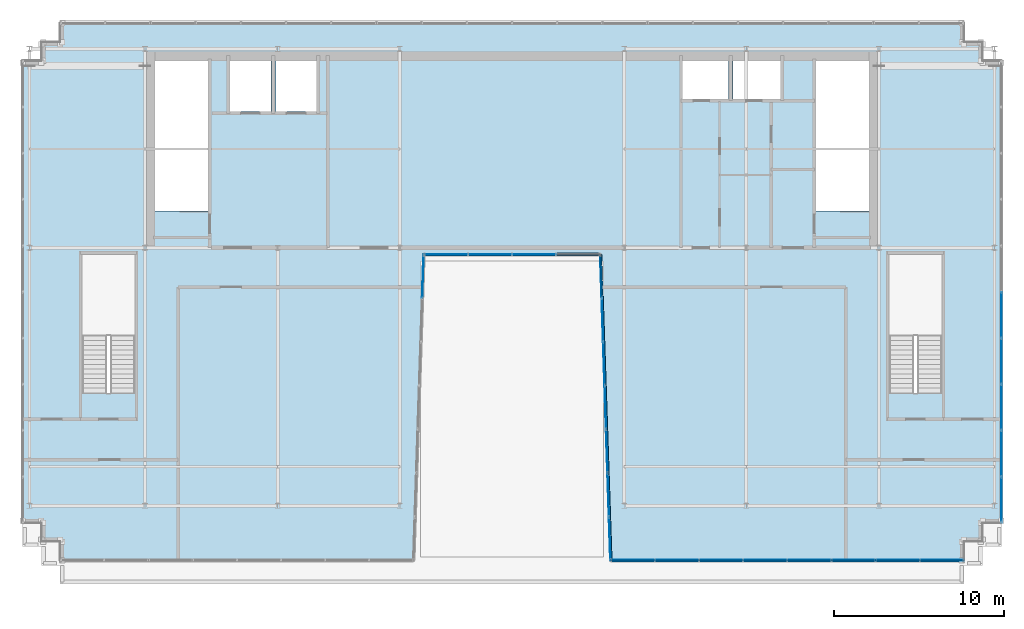
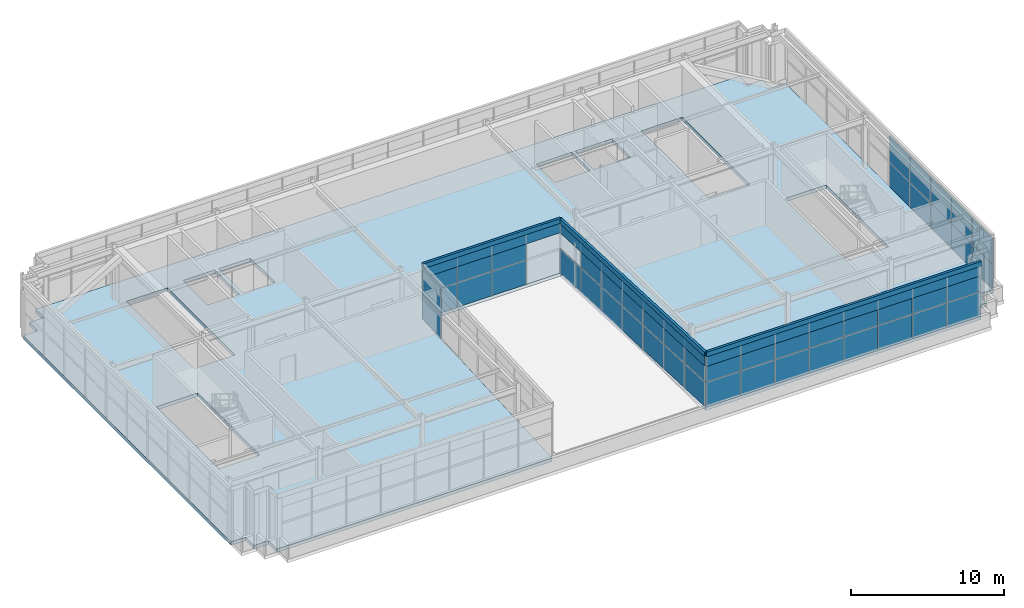
# One storey, part 28 of 37: 53 plates, 1 slab, 5 elements without a shape of their own.
"""IFC4 building model written with IfcOpenShell, lengths in metres."""

from ifc_helpers import new_model, si_unit, direction, frame, origin, origin_2d, place, context, subcontext, project, spatial, polyline, rectangle, outline, extrude, source, transform, mapped, material, layer, layer_set, type_object, element, aggregate, save


model = new_model("IFC4")

# Units and contexts
model_context = context("Model", 3, precision=1e-05, world=origin(), true_north=direction((0.0, 1.0)))
body_context = subcontext(model_context, "Body", "Model", "MODEL_VIEW")
ifc_project = project(units=[si_unit("LENGTHUNIT", "METRE"), si_unit("AREAUNIT", "SQUARE_METRE"), si_unit("VOLUMEUNIT", "CUBIC_METRE"), si_unit("PLANEANGLEUNIT", "RADIAN"), si_unit("MASSUNIT", "GRAM", prefix="KILO")], contexts=[model_context])

# Site, building, storey
site_placement = place(None, origin())
site = spatial("IfcSite", under=ifc_project, at=site_placement, CompositionType="ELEMENT")
building_placement = place(site_placement, origin())
building = spatial("IfcBuilding", under=site, at=building_placement, Name="Trelvane Seafront Commons", CompositionType="ELEMENT")
storey_placement = place(building_placement, frame((0.0, 0.0, 303.5)))
storey = spatial("IfcBuildingStorey", under=building, at=storey_placement, Name="L79", CompositionType="ELEMENT", Elevation=303.5)

# Slab
ifc_material_1 = material(Name="Concrete C50/60", Category="concrete")
ifc_layer_1 = layer(ifc_material_1, 0.280029296875, Name="STR-SLB-CRN280")
ifc_layer_set_1 = layer_set([ifc_layer_1], Name="Concrete C50/60")
slab_type = type_object("IfcSlabType", Name="STR-SLB-CRN280", PredefinedType="FLOOR", material=ifc_layer_set_1)
slab_placement = place(storey_placement, frame((0.0, 0.0, -0.280029296875)))
element("IfcSlab", 1, at=slab_placement, inside=storey, type_object=slab_type, Name="L79 Structural Floor Slab", PredefinedType="FLOOR", context=body_context, shape_type="SweptSolid", body=[
    extrude(outline(polyline([(10.60009765625, 15.0), (31.39990234375, 15.0), (32.0, 33.0), (42.39990234375, 33.0), (43.0, 15.0), (63.800048828125, 15.0), (63.800048828125, 16.10009765625), (64.89990234375, 16.10009765625), (64.89990234375, 17.199951171875), (66.0, 17.199951171875), (66.0, 44.39990234375), (64.89990234375, 44.39990234375), (64.89990234375, 45.5), (63.800048828125, 45.5), (63.800048828125, 46.60009765625), (10.60009765625, 46.60009765625), (10.60009765625, 45.5), (9.5, 45.5), (9.5, 44.39990234375), (8.39990234375, 44.39990234375), (8.39990234375, 17.199951171875), (9.5, 17.199951171875), (9.5, 16.10009765625), (10.60009765625, 16.10009765625), (10.60009765625, 15.0)]), holes=[polyline([(15.0, 24.85009765625), (11.89990234375, 24.85009765625), (11.89990234375, 33.0), (15.0, 33.0), (15.0, 24.85009765625)]), polyline([(62.5, 24.85009765625), (59.39990234375, 24.85009765625), (59.39990234375, 33.0), (62.5, 33.0), (62.5, 24.85009765625)]), polyline([(19.300048828125, 35.550048828125), (16.199951171875, 35.550048828125), (16.199951171875, 44.39990234375), (19.300048828125, 44.39990234375), (19.300048828125, 35.550048828125)]), polyline([(58.199951171875, 35.550048828125), (55.10009765625, 35.550048828125), (55.10009765625, 44.39990234375), (58.199951171875, 44.39990234375), (58.199951171875, 35.550048828125)]), polyline([(23.0, 41.39990234375), (20.60009765625, 41.39990234375), (20.60009765625, 44.60009765625), (23.0, 44.60009765625), (23.0, 41.39990234375)]), polyline([(25.699951171875, 41.39990234375), (23.300048828125, 41.39990234375), (23.300048828125, 44.60009765625), (25.699951171875, 44.60009765625), (25.699951171875, 41.39990234375)]), polyline([(49.949951171875, 42.14990234375), (47.25, 42.14990234375), (47.25, 44.550048828125), (49.949951171875, 44.550048828125), (49.949951171875, 42.14990234375)]), polyline([(53.0, 42.14990234375), (50.199951171875, 42.14990234375), (50.199951171875, 44.550048828125), (53.0, 44.550048828125), (53.0, 42.14990234375)])]), origin(), (0.0, 0.0, 1.0), 0.280029296875),
])

# Curtain wall, plates
ifc_material_2 = material(Name="Anodised pale-silver aluminium", Category="aluminium")
curtain_wall_type = type_object("IfcCurtainWallType", Name="ARCH-CW6-CROWN", PredefinedType="NOTDEFINED", material=ifc_material_2)
curtain_wall_1_placement = place(storey_placement, origin())
curtain_wall_1 = element("IfcCurtainWall", 2, at=curtain_wall_1_placement, inside=storey, type_object=curtain_wall_type, Name="CW-L79-0130", PredefinedType="NOTDEFINED")
ifc_material_3 = material(Name="Low-E coastal double glazing", Category="glass")
ifc_layer_2 = layer(ifc_material_3, 0.033935546875, Name="ARCH-CW-GLAZ-34")
ifc_layer_set_2 = layer_set([ifc_layer_2], Name="Low-E coastal double glazing")
plate_type_1 = type_object("IfcPlateType", Name="ARCH-CW-GLAZ-34", PredefinedType="CURTAIN_PANEL", material=ifc_layer_set_2)
shared_shape_1 = source(origin(), body_context, "Body", "SweptSolid", [
    extrude(rectangle(XDim=2.696044921875, YDim=0.031982421875, at=origin_2d()), origin(), (0.0, 0.0, 1.0), 1.949951171875),
])
plate_1_placement = place(storey_placement, frame((66.0, 29.43994140625, 0.0), z_axis=(0.0, 0.0, 1.0), x_axis=(0.0, -1.0, 0.0)))
plate_1 = element("IfcPlate", 3, at=plate_1_placement, type_object=plate_type_1, Name="CW-L79-0130-P05-1", PredefinedType="CURTAIN_PANEL", context=body_context, shape_type="MappedRepresentation", body=[
    mapped(shared_shape_1, transform((0.0, 0.0, 0.0), x_axis=(1.0, 0.0, 0.0), y_axis=(0.0, 1.0, 0.0), z_axis=(0.0, 0.0, 1.0), scale=1.0)),
])
plate_2_placement = place(storey_placement, frame((66.0, 26.719970703125, 0.0), z_axis=(0.0, 0.0, 1.0), x_axis=(0.0, -1.0, 0.0)))
plate_2 = element("IfcPlate", 4, at=plate_2_placement, type_object=plate_type_1, Name="CW-L79-0130-P06-1", PredefinedType="CURTAIN_PANEL", context=body_context, shape_type="MappedRepresentation", body=[
    mapped(shared_shape_1, transform((0.0, 0.0, 0.0), x_axis=(1.0, 0.0, 0.0), y_axis=(0.0, 1.0, 0.0), z_axis=(0.0, 0.0, 1.0), scale=1.0)),
])
plate_3_placement = place(storey_placement, frame((66.0, 24.0, 0.0), z_axis=(0.0, 0.0, 1.0), x_axis=(0.0, -1.0, 0.0)))
plate_3 = element("IfcPlate", 5, at=plate_3_placement, type_object=plate_type_1, Name="CW-L79-0130-P07-1", PredefinedType="CURTAIN_PANEL", context=body_context, shape_type="MappedRepresentation", body=[
    mapped(shared_shape_1, transform((0.0, 0.0, 0.0), x_axis=(1.0, 0.0, 0.0), y_axis=(0.0, 1.0, 0.0), z_axis=(0.0, 0.0, 1.0), scale=1.0)),
])
plate_4_placement = place(storey_placement, frame((66.0, 21.280029296875, 0.0), z_axis=(0.0, 0.0, 1.0), x_axis=(0.0, -1.0, 0.0)))
plate_4 = element("IfcPlate", 6, at=plate_4_placement, type_object=plate_type_1, Name="CW-L79-0130-P08-1", PredefinedType="CURTAIN_PANEL", context=body_context, shape_type="MappedRepresentation", body=[
    mapped(shared_shape_1, transform((0.0, 0.0, 0.0), x_axis=(1.0, 0.0, 0.0), y_axis=(0.0, 1.0, 0.0), z_axis=(0.0, 0.0, 1.0), scale=1.0)),
])
plate_5_placement = place(storey_placement, frame((66.0, 18.56005859375, 0.0), z_axis=(0.0, 0.0, 1.0), x_axis=(0.0, -1.0, 0.0)))
plate_5 = element("IfcPlate", 7, at=plate_5_placement, type_object=plate_type_1, Name="CW-L79-0130-P09-1", PredefinedType="CURTAIN_PANEL", context=body_context, shape_type="MappedRepresentation", body=[
    mapped(shared_shape_1, transform((0.0, 0.0, 0.0), x_axis=(1.0, 0.0, 0.0), y_axis=(0.0, 1.0, 0.0), z_axis=(0.0, 0.0, 1.0), scale=1.0)),
])
shared_shape_2 = source(origin(), body_context, "Body", "SweptSolid", [
    extrude(rectangle(XDim=2.696044921875, YDim=0.031982421875, at=origin_2d()), origin(), (0.0, 0.0, 1.0), 2.114013671875),
])
plate_6_placement = place(storey_placement, frame((66.0, 29.43994140625, 1.98583984375), z_axis=(0.0, 0.0, 1.0), x_axis=(0.0, -1.0, 0.0)))
plate_6 = element("IfcPlate", 8, at=plate_6_placement, type_object=plate_type_1, Name="CW-L79-0130-P05-2", PredefinedType="CURTAIN_PANEL", context=body_context, shape_type="MappedRepresentation", body=[
    mapped(shared_shape_2, transform((0.0, 0.0, 0.0), x_axis=(1.0, 0.0, 0.0), y_axis=(0.0, 1.0, 0.0), z_axis=(0.0, 0.0, 1.0), scale=1.0)),
])
plate_7_placement = place(storey_placement, frame((66.0, 26.719970703125, 1.98583984375), z_axis=(0.0, 0.0, 1.0), x_axis=(0.0, -1.0, 0.0)))
plate_7 = element("IfcPlate", 9, at=plate_7_placement, type_object=plate_type_1, Name="CW-L79-0130-P06-2", PredefinedType="CURTAIN_PANEL", context=body_context, shape_type="MappedRepresentation", body=[
    mapped(shared_shape_2, transform((0.0, 0.0, 0.0), x_axis=(1.0, 0.0, 0.0), y_axis=(0.0, 1.0, 0.0), z_axis=(0.0, 0.0, 1.0), scale=1.0)),
])
plate_8_placement = place(storey_placement, frame((66.0, 24.0, 1.98583984375), z_axis=(0.0, 0.0, 1.0), x_axis=(0.0, -1.0, 0.0)))
plate_8 = element("IfcPlate", 10, at=plate_8_placement, type_object=plate_type_1, Name="CW-L79-0130-P07-2", PredefinedType="CURTAIN_PANEL", context=body_context, shape_type="MappedRepresentation", body=[
    mapped(shared_shape_2, transform((0.0, 0.0, 0.0), x_axis=(1.0, 0.0, 0.0), y_axis=(0.0, 1.0, 0.0), z_axis=(0.0, 0.0, 1.0), scale=1.0)),
])
plate_9_placement = place(storey_placement, frame((66.0, 21.280029296875, 1.98583984375), z_axis=(0.0, 0.0, 1.0), x_axis=(0.0, -1.0, 0.0)))
plate_9 = element("IfcPlate", 11, at=plate_9_placement, type_object=plate_type_1, Name="CW-L79-0130-P08-2", PredefinedType="CURTAIN_PANEL", context=body_context, shape_type="MappedRepresentation", body=[
    mapped(shared_shape_2, transform((0.0, 0.0, 0.0), x_axis=(1.0, 0.0, 0.0), y_axis=(0.0, 1.0, 0.0), z_axis=(0.0, 0.0, 1.0), scale=1.0)),
])
plate_10_placement = place(storey_placement, frame((66.0, 18.56005859375, 1.98583984375), z_axis=(0.0, 0.0, 1.0), x_axis=(0.0, -1.0, 0.0)))
plate_10 = element("IfcPlate", 12, at=plate_10_placement, type_object=plate_type_1, Name="CW-L79-0130-P09-2", PredefinedType="CURTAIN_PANEL", context=body_context, shape_type="MappedRepresentation", body=[
    mapped(shared_shape_2, transform((0.0, 0.0, 0.0), x_axis=(1.0, 0.0, 0.0), y_axis=(0.0, 1.0, 0.0), z_axis=(0.0, 0.0, 1.0), scale=1.0)),
])
aggregate(curtain_wall_1, [plate_1, plate_6, plate_2, plate_7, plate_3, plate_8, plate_4, plate_9, plate_5, plate_10])

curtain_wall_2_placement = place(storey_placement, origin())
curtain_wall_2 = element("IfcCurtainWall", 13, at=curtain_wall_2_placement, inside=storey, type_object=curtain_wall_type, Name="CW-L79-0131", PredefinedType="NOTDEFINED")
shared_shape_3 = source(origin(), body_context, "Body", "SweptSolid", [
    extrude(rectangle(XDim=2.575927734375, YDim=0.031982421875, at=origin_2d()), origin(), (0.0, 0.0, 1.0), 1.949951171875),
])
plate_11_placement = place(storey_placement, frame((62.5, 15.0, 0.0), z_axis=(0.0, 0.0, 1.0), x_axis=(-1.0, 0.0, 0.0)))
plate_11 = element("IfcPlate", 14, at=plate_11_placement, type_object=plate_type_1, Name="CW-L79-0131-P00-1", PredefinedType="CURTAIN_PANEL", context=body_context, shape_type="MappedRepresentation", body=[
    mapped(shared_shape_3, transform((0.0, 0.0, 0.0), x_axis=(1.0, 0.0, 0.0), y_axis=(0.0, 1.0, 0.0), z_axis=(0.0, 0.0, 1.0), scale=1.0)),
])
plate_12_placement = place(storey_placement, frame((59.89990234375, 15.0, 0.0), z_axis=(0.0, 0.0, 1.0), x_axis=(-1.0, 0.0, 0.0)))
plate_12 = element("IfcPlate", 15, at=plate_12_placement, type_object=plate_type_1, Name="CW-L79-0131-P01-1", PredefinedType="CURTAIN_PANEL", context=body_context, shape_type="MappedRepresentation", body=[
    mapped(shared_shape_3, transform((0.0, 0.0, 0.0), x_axis=(1.0, 0.0, 0.0), y_axis=(0.0, 1.0, 0.0), z_axis=(0.0, 0.0, 1.0), scale=1.0)),
])
plate_13_placement = place(storey_placement, frame((57.300048828125, 15.0, 0.0), z_axis=(0.0, 0.0, 1.0), x_axis=(-1.0, 0.0, 0.0)))
plate_13 = element("IfcPlate", 16, at=plate_13_placement, type_object=plate_type_1, Name="CW-L79-0131-P02-1", PredefinedType="CURTAIN_PANEL", context=body_context, shape_type="MappedRepresentation", body=[
    mapped(shared_shape_3, transform((0.0, 0.0, 0.0), x_axis=(1.0, 0.0, 0.0), y_axis=(0.0, 1.0, 0.0), z_axis=(0.0, 0.0, 1.0), scale=1.0)),
])
plate_14_placement = place(storey_placement, frame((54.699951171875, 15.0, 0.0), z_axis=(0.0, 0.0, 1.0), x_axis=(-1.0, 0.0, 0.0)))
plate_14 = element("IfcPlate", 17, at=plate_14_placement, type_object=plate_type_1, Name="CW-L79-0131-P03-1", PredefinedType="CURTAIN_PANEL", context=body_context, shape_type="MappedRepresentation", body=[
    mapped(shared_shape_3, transform((0.0, 0.0, 0.0), x_axis=(1.0, 0.0, 0.0), y_axis=(0.0, 1.0, 0.0), z_axis=(0.0, 0.0, 1.0), scale=1.0)),
])
plate_15_placement = place(storey_placement, frame((52.10009765625, 15.0, 0.0), z_axis=(0.0, 0.0, 1.0), x_axis=(-1.0, 0.0, 0.0)))
plate_15 = element("IfcPlate", 18, at=plate_15_placement, type_object=plate_type_1, Name="CW-L79-0131-P04-1", PredefinedType="CURTAIN_PANEL", context=body_context, shape_type="MappedRepresentation", body=[
    mapped(shared_shape_3, transform((0.0, 0.0, 0.0), x_axis=(1.0, 0.0, 0.0), y_axis=(0.0, 1.0, 0.0), z_axis=(0.0, 0.0, 1.0), scale=1.0)),
])
plate_16_placement = place(storey_placement, frame((49.5, 15.0, 0.0), z_axis=(0.0, 0.0, 1.0), x_axis=(-1.0, 0.0, 0.0)))
plate_16 = element("IfcPlate", 19, at=plate_16_placement, type_object=plate_type_1, Name="CW-L79-0131-P05-1", PredefinedType="CURTAIN_PANEL", context=body_context, shape_type="MappedRepresentation", body=[
    mapped(shared_shape_3, transform((0.0, 0.0, 0.0), x_axis=(1.0, 0.0, 0.0), y_axis=(0.0, 1.0, 0.0), z_axis=(0.0, 0.0, 1.0), scale=1.0)),
])
plate_17_placement = place(storey_placement, frame((46.89990234375, 15.0, 0.0), z_axis=(0.0, 0.0, 1.0), x_axis=(-1.0, 0.0, 0.0)))
plate_17 = element("IfcPlate", 20, at=plate_17_placement, type_object=plate_type_1, Name="CW-L79-0131-P06-1", PredefinedType="CURTAIN_PANEL", context=body_context, shape_type="MappedRepresentation", body=[
    mapped(shared_shape_3, transform((0.0, 0.0, 0.0), x_axis=(1.0, 0.0, 0.0), y_axis=(0.0, 1.0, 0.0), z_axis=(0.0, 0.0, 1.0), scale=1.0)),
])
plate_18_placement = place(storey_placement, frame((44.300048828125, 15.0, 0.0), z_axis=(0.0, 0.0, 1.0), x_axis=(-1.0, 0.0, 0.0)))
plate_18 = element("IfcPlate", 21, at=plate_18_placement, type_object=plate_type_1, Name="CW-L79-0131-P07-1", PredefinedType="CURTAIN_PANEL", context=body_context, shape_type="MappedRepresentation", body=[
    mapped(shared_shape_3, transform((0.0, 0.0, 0.0), x_axis=(1.0, 0.0, 0.0), y_axis=(0.0, 1.0, 0.0), z_axis=(0.0, 0.0, 1.0), scale=1.0)),
])

curtain_wall_3_placement = place(storey_placement, origin())
curtain_wall_3 = element("IfcCurtainWall", 22, at=curtain_wall_3_placement, inside=storey, type_object=curtain_wall_type, Name="CW-L79-0133", PredefinedType="NOTDEFINED")
plate_19_placement = place(storey_placement, frame((38.5, 33.0, 0.0), z_axis=(0.0, 0.0, 1.0), x_axis=(-1.0, 0.0, 0.0)))
plate_19 = element("IfcPlate", 23, at=plate_19_placement, type_object=plate_type_1, Name="CW-L79-0133-P01-1", PredefinedType="CURTAIN_PANEL", context=body_context, shape_type="MappedRepresentation", body=[
    mapped(shared_shape_3, transform((0.0, 0.0, 0.0), x_axis=(1.0, 0.0, 0.0), y_axis=(0.0, 1.0, 0.0), z_axis=(0.0, 0.0, 1.0), scale=1.0)),
])
plate_20_placement = place(storey_placement, frame((35.89990234375, 33.0, 0.0), z_axis=(0.0, 0.0, 1.0), x_axis=(-1.0, 0.0, 0.0)))
plate_20 = element("IfcPlate", 24, at=plate_20_placement, type_object=plate_type_1, Name="CW-L79-0133-P02-1", PredefinedType="CURTAIN_PANEL", context=body_context, shape_type="MappedRepresentation", body=[
    mapped(shared_shape_3, transform((0.0, 0.0, 0.0), x_axis=(1.0, 0.0, 0.0), y_axis=(0.0, 1.0, 0.0), z_axis=(0.0, 0.0, 1.0), scale=1.0)),
])
plate_21_placement = place(storey_placement, frame((33.300048828125, 33.0, 0.0), z_axis=(0.0, 0.0, 1.0), x_axis=(-1.0, 0.0, 0.0)))
plate_21 = element("IfcPlate", 25, at=plate_21_placement, type_object=plate_type_1, Name="CW-L79-0133-P03-1", PredefinedType="CURTAIN_PANEL", context=body_context, shape_type="MappedRepresentation", body=[
    mapped(shared_shape_3, transform((0.0, 0.0, 0.0), x_axis=(1.0, 0.0, 0.0), y_axis=(0.0, 1.0, 0.0), z_axis=(0.0, 0.0, 1.0), scale=1.0)),
])

# Plate
shared_shape_4 = source(origin(), body_context, "Body", "SweptSolid", [
    extrude(rectangle(XDim=2.575927734375, YDim=0.031982421875, at=origin_2d()), origin(), (0.0, 0.0, 1.0), 2.114013671875),
])
plate_22_placement = place(storey_placement, frame((62.5, 15.0, 1.98583984375), z_axis=(0.0, 0.0, 1.0), x_axis=(-1.0, 0.0, 0.0)))
plate_22 = element("IfcPlate", 26, at=plate_22_placement, type_object=plate_type_1, Name="CW-L79-0131-P00-2", PredefinedType="CURTAIN_PANEL", context=body_context, shape_type="MappedRepresentation", body=[
    mapped(shared_shape_4, transform((0.0, 0.0, 0.0), x_axis=(1.0, 0.0, 0.0), y_axis=(0.0, 1.0, 0.0), z_axis=(0.0, 0.0, 1.0), scale=1.0)),
])

plate_23_placement = place(storey_placement, frame((59.89990234375, 15.0, 1.98583984375), z_axis=(0.0, 0.0, 1.0), x_axis=(-1.0, 0.0, 0.0)))
plate_23 = element("IfcPlate", 27, at=plate_23_placement, type_object=plate_type_1, Name="CW-L79-0131-P01-2", PredefinedType="CURTAIN_PANEL", context=body_context, shape_type="MappedRepresentation", body=[
    mapped(shared_shape_4, transform((0.0, 0.0, 0.0), x_axis=(1.0, 0.0, 0.0), y_axis=(0.0, 1.0, 0.0), z_axis=(0.0, 0.0, 1.0), scale=1.0)),
])

plate_24_placement = place(storey_placement, frame((57.300048828125, 15.0, 1.98583984375), z_axis=(0.0, 0.0, 1.0), x_axis=(-1.0, 0.0, 0.0)))
plate_24 = element("IfcPlate", 28, at=plate_24_placement, type_object=plate_type_1, Name="CW-L79-0131-P02-2", PredefinedType="CURTAIN_PANEL", context=body_context, shape_type="MappedRepresentation", body=[
    mapped(shared_shape_4, transform((0.0, 0.0, 0.0), x_axis=(1.0, 0.0, 0.0), y_axis=(0.0, 1.0, 0.0), z_axis=(0.0, 0.0, 1.0), scale=1.0)),
])

plate_25_placement = place(storey_placement, frame((54.699951171875, 15.0, 1.98583984375), z_axis=(0.0, 0.0, 1.0), x_axis=(-1.0, 0.0, 0.0)))
plate_25 = element("IfcPlate", 29, at=plate_25_placement, type_object=plate_type_1, Name="CW-L79-0131-P03-2", PredefinedType="CURTAIN_PANEL", context=body_context, shape_type="MappedRepresentation", body=[
    mapped(shared_shape_4, transform((0.0, 0.0, 0.0), x_axis=(1.0, 0.0, 0.0), y_axis=(0.0, 1.0, 0.0), z_axis=(0.0, 0.0, 1.0), scale=1.0)),
])

plate_26_placement = place(storey_placement, frame((52.10009765625, 15.0, 1.98583984375), z_axis=(0.0, 0.0, 1.0), x_axis=(-1.0, 0.0, 0.0)))
plate_26 = element("IfcPlate", 30, at=plate_26_placement, type_object=plate_type_1, Name="CW-L79-0131-P04-2", PredefinedType="CURTAIN_PANEL", context=body_context, shape_type="MappedRepresentation", body=[
    mapped(shared_shape_4, transform((0.0, 0.0, 0.0), x_axis=(1.0, 0.0, 0.0), y_axis=(0.0, 1.0, 0.0), z_axis=(0.0, 0.0, 1.0), scale=1.0)),
])

plate_27_placement = place(storey_placement, frame((49.5, 15.0, 1.98583984375), z_axis=(0.0, 0.0, 1.0), x_axis=(-1.0, 0.0, 0.0)))
plate_27 = element("IfcPlate", 31, at=plate_27_placement, type_object=plate_type_1, Name="CW-L79-0131-P05-2", PredefinedType="CURTAIN_PANEL", context=body_context, shape_type="MappedRepresentation", body=[
    mapped(shared_shape_4, transform((0.0, 0.0, 0.0), x_axis=(1.0, 0.0, 0.0), y_axis=(0.0, 1.0, 0.0), z_axis=(0.0, 0.0, 1.0), scale=1.0)),
])

plate_28_placement = place(storey_placement, frame((46.89990234375, 15.0, 1.98583984375), z_axis=(0.0, 0.0, 1.0), x_axis=(-1.0, 0.0, 0.0)))
plate_28 = element("IfcPlate", 32, at=plate_28_placement, type_object=plate_type_1, Name="CW-L79-0131-P06-2", PredefinedType="CURTAIN_PANEL", context=body_context, shape_type="MappedRepresentation", body=[
    mapped(shared_shape_4, transform((0.0, 0.0, 0.0), x_axis=(1.0, 0.0, 0.0), y_axis=(0.0, 1.0, 0.0), z_axis=(0.0, 0.0, 1.0), scale=1.0)),
])

plate_29_placement = place(storey_placement, frame((44.300048828125, 15.0, 1.98583984375), z_axis=(0.0, 0.0, 1.0), x_axis=(-1.0, 0.0, 0.0)))
plate_29 = element("IfcPlate", 33, at=plate_29_placement, type_object=plate_type_1, Name="CW-L79-0131-P07-2", PredefinedType="CURTAIN_PANEL", context=body_context, shape_type="MappedRepresentation", body=[
    mapped(shared_shape_4, transform((0.0, 0.0, 0.0), x_axis=(1.0, 0.0, 0.0), y_axis=(0.0, 1.0, 0.0), z_axis=(0.0, 0.0, 1.0), scale=1.0)),
])

aggregate(curtain_wall_2, [plate_11, plate_22, plate_12, plate_23, plate_13, plate_24, plate_14, plate_25, plate_15, plate_26, plate_16, plate_27, plate_17, plate_28, plate_18, plate_29])

plate_30_placement = place(storey_placement, frame((38.5, 33.0, 1.98583984375), z_axis=(0.0, 0.0, 1.0), x_axis=(-1.0, 0.0, 0.0)))
plate_30 = element("IfcPlate", 34, at=plate_30_placement, type_object=plate_type_1, Name="CW-L79-0133-P01-2", PredefinedType="CURTAIN_PANEL", context=body_context, shape_type="MappedRepresentation", body=[
    mapped(shared_shape_4, transform((0.0, 0.0, 0.0), x_axis=(1.0, 0.0, 0.0), y_axis=(0.0, 1.0, 0.0), z_axis=(0.0, 0.0, 1.0), scale=1.0)),
])

plate_31_placement = place(storey_placement, frame((35.89990234375, 33.0, 1.98583984375), z_axis=(0.0, 0.0, 1.0), x_axis=(-1.0, 0.0, 0.0)))
plate_31 = element("IfcPlate", 35, at=plate_31_placement, type_object=plate_type_1, Name="CW-L79-0133-P02-2", PredefinedType="CURTAIN_PANEL", context=body_context, shape_type="MappedRepresentation", body=[
    mapped(shared_shape_4, transform((0.0, 0.0, 0.0), x_axis=(1.0, 0.0, 0.0), y_axis=(0.0, 1.0, 0.0), z_axis=(0.0, 0.0, 1.0), scale=1.0)),
])

plate_32_placement = place(storey_placement, frame((33.300048828125, 33.0, 1.98583984375), z_axis=(0.0, 0.0, 1.0), x_axis=(-1.0, 0.0, 0.0)))
plate_32 = element("IfcPlate", 36, at=plate_32_placement, type_object=plate_type_1, Name="CW-L79-0133-P03-2", PredefinedType="CURTAIN_PANEL", context=body_context, shape_type="MappedRepresentation", body=[
    mapped(shared_shape_4, transform((0.0, 0.0, 0.0), x_axis=(1.0, 0.0, 0.0), y_axis=(0.0, 1.0, 0.0), z_axis=(0.0, 0.0, 1.0), scale=1.0)),
])

aggregate(curtain_wall_3, [plate_19, plate_30, plate_20, plate_31, plate_21, plate_32])

# Plates
ifc_layer_3 = layer(ifc_material_2, 0.080078125, Name="ARCH-PLATE-LOUVRE")
ifc_layer_set_3 = layer_set([ifc_layer_3], Name="Anodised pale-silver aluminium")
plate_type_2 = type_object("IfcPlateType", Name="ARCH-PLATE-LOUVRE", PredefinedType="USERDEFINED", material=ifc_layer_set_3)
shared_shape_5 = source(origin(), body_context, "Body", "SweptSolid", [
    extrude(rectangle(XDim=20.800048828125, YDim=0.080078125, at=origin_2d()), origin(), (0.0, 0.0, 1.0), 0.889892578125),
])
plate_33_placement = place(storey_placement, frame((53.39990234375, 15.0, 3.25), z_axis=(0.0, 0.0, 1.0), x_axis=(-1.0, 0.0, 0.0)))
element("IfcPlate", 37, at=plate_33_placement, inside=storey, type_object=plate_type_2, Name="LOU-L79-020", ObjectType="LOUVRE", PredefinedType="USERDEFINED", context=body_context, shape_type="MappedRepresentation", body=[
    mapped(shared_shape_5, transform((0.0, 0.0, 0.0), x_axis=(1.0, 0.0, 0.0), y_axis=(0.0, 1.0, 0.0), z_axis=(0.0, 0.0, 1.0), scale=1.0)),
])
ifc_layer_4 = layer(ifc_material_2, 0.179931640625, Name="ARCH-PLATE-AERO")
ifc_layer_set_4 = layer_set([ifc_layer_4], Name="Anodised pale-silver aluminium")
plate_type_3 = type_object("IfcPlateType", Name="ARCH-PLATE-AERO", PredefinedType="SHEET", material=ifc_layer_set_4)
shared_shape_6 = source(origin(), body_context, "Body", "SweptSolid", [
    extrude(rectangle(XDim=20.800048828125, YDim=0.179931640625, at=origin_2d()), origin(), (0.0, 0.0, 1.0), 0.3798828125),
])
plate_34_placement = place(storey_placement, frame((53.39990234375, 15.0, 4.0400390625), z_axis=(0.0, 0.0, 1.0), x_axis=(-1.0, 0.0, 0.0)))
element("IfcPlate", 38, at=plate_34_placement, inside=storey, type_object=plate_type_3, Name="AER-L79-00277", PredefinedType="SHEET", context=body_context, shape_type="MappedRepresentation", body=[
    mapped(shared_shape_6, transform((0.0, 0.0, 0.0), x_axis=(1.0, 0.0, 0.0), y_axis=(0.0, 1.0, 0.0), z_axis=(0.0, 0.0, 1.0), scale=1.0)),
])

# Curtain wall, plates
curtain_wall_4_placement = place(storey_placement, origin())
curtain_wall_4 = element("IfcCurtainWall", 39, at=curtain_wall_4_placement, inside=storey, type_object=curtain_wall_type, Name="CW-L79-0132", PredefinedType="NOTDEFINED")
shared_shape_7 = source(origin(), body_context, "Body", "SweptSolid", [
    extrude(rectangle(XDim=2.548828125, YDim=0.031982421875, at=origin_2d()), origin(), (0.0, 0.0, 1.0), 1.949951171875),
])
plate_35_placement = place(storey_placement, frame((42.95703125, 16.28564453125, 0.0), z_axis=(0.0, 0.0, 1.0), x_axis=(-0.033310426891, 0.999445053747, 0.0)))
plate_35 = element("IfcPlate", 40, at=plate_35_placement, type_object=plate_type_1, Name="CW-L79-0132-P00-1", PredefinedType="CURTAIN_PANEL", context=body_context, shape_type="MappedRepresentation", body=[
    mapped(shared_shape_7, transform((0.0, 0.0, 0.0), x_axis=(1.0, 0.0, 0.0), y_axis=(0.0, 1.0, 0.0), z_axis=(0.0, 0.0, 1.0), scale=1.0)),
])
plate_36_placement = place(storey_placement, frame((42.871337890625, 18.857177734375, 0.0), z_axis=(0.0, 0.0, 1.0), x_axis=(-0.03330868253, 0.999445111884, 0.0)))
plate_36 = element("IfcPlate", 41, at=plate_36_placement, type_object=plate_type_1, Name="CW-L79-0132-P01-1", PredefinedType="CURTAIN_PANEL", context=body_context, shape_type="MappedRepresentation", body=[
    mapped(shared_shape_7, transform((0.0, 0.0, 0.0), x_axis=(1.0, 0.0, 0.0), y_axis=(0.0, 1.0, 0.0), z_axis=(0.0, 0.0, 1.0), scale=1.0)),
])
plate_37_placement = place(storey_placement, frame((42.785888671875, 21.4287109375, 0.0), z_axis=(0.0, 0.0, 1.0), x_axis=(-0.033310426891, 0.999445053747, 0.0)))
plate_37 = element("IfcPlate", 42, at=plate_37_placement, type_object=plate_type_1, Name="CW-L79-0132-P02-1", PredefinedType="CURTAIN_PANEL", context=body_context, shape_type="MappedRepresentation", body=[
    mapped(shared_shape_7, transform((0.0, 0.0, 0.0), x_axis=(1.0, 0.0, 0.0), y_axis=(0.0, 1.0, 0.0), z_axis=(0.0, 0.0, 1.0), scale=1.0)),
])
plate_38_placement = place(storey_placement, frame((42.699951171875, 24.0, 0.0), z_axis=(0.0, 0.0, 1.0), x_axis=(-0.033348802802, 0.999443773982, 0.0)))
plate_38 = element("IfcPlate", 43, at=plate_38_placement, type_object=plate_type_1, Name="CW-L79-0132-P03-1", PredefinedType="CURTAIN_PANEL", context=body_context, shape_type="MappedRepresentation", body=[
    mapped(shared_shape_7, transform((0.0, 0.0, 0.0), x_axis=(1.0, 0.0, 0.0), y_axis=(0.0, 1.0, 0.0), z_axis=(0.0, 0.0, 1.0), scale=1.0)),
])
plate_39_placement = place(storey_placement, frame((42.6142578125, 26.5712890625, 0.0), z_axis=(0.0, 0.0, 1.0), x_axis=(-0.033310426891, 0.999445053747, 0.0)))
plate_39 = element("IfcPlate", 44, at=plate_39_placement, type_object=plate_type_1, Name="CW-L79-0132-P04-1", PredefinedType="CURTAIN_PANEL", context=body_context, shape_type="MappedRepresentation", body=[
    mapped(shared_shape_7, transform((0.0, 0.0, 0.0), x_axis=(1.0, 0.0, 0.0), y_axis=(0.0, 1.0, 0.0), z_axis=(0.0, 0.0, 1.0), scale=1.0)),
])
plate_40_placement = place(storey_placement, frame((42.528564453125, 29.142822265625, 0.0), z_axis=(0.0, 0.0, 1.0), x_axis=(-0.03330868253, 0.999445111884, 0.0)))
plate_40 = element("IfcPlate", 45, at=plate_40_placement, type_object=plate_type_1, Name="CW-L79-0132-P05-1", PredefinedType="CURTAIN_PANEL", context=body_context, shape_type="MappedRepresentation", body=[
    mapped(shared_shape_7, transform((0.0, 0.0, 0.0), x_axis=(1.0, 0.0, 0.0), y_axis=(0.0, 1.0, 0.0), z_axis=(0.0, 0.0, 1.0), scale=1.0)),
])
plate_41_placement = place(storey_placement, frame((42.44287109375, 31.71435546875, 0.0), z_axis=(0.0, 0.0, 1.0), x_axis=(-0.033310426891, 0.999445053747, 0.0)))
plate_41 = element("IfcPlate", 46, at=plate_41_placement, type_object=plate_type_1, Name="CW-L79-0132-P06-1", PredefinedType="CURTAIN_PANEL", context=body_context, shape_type="MappedRepresentation", body=[
    mapped(shared_shape_7, transform((0.0, 0.0, 0.0), x_axis=(1.0, 0.0, 0.0), y_axis=(0.0, 1.0, 0.0), z_axis=(0.0, 0.0, 1.0), scale=1.0)),
])

# Curtain wall, plate
curtain_wall_5_placement = place(storey_placement, origin())
curtain_wall_5 = element("IfcCurtainWall", 47, at=curtain_wall_5_placement, inside=storey, type_object=curtain_wall_type, Name="CW-L79-0134", PredefinedType="NOTDEFINED")
plate_42_placement = place(storey_placement, frame((31.95703125, 31.71435546875, 0.0), z_axis=(0.0, 0.0, 1.0), x_axis=(-0.033310426891, -0.999445053747, 0.0)))
plate_42 = element("IfcPlate", 48, at=plate_42_placement, type_object=plate_type_1, Name="CW-L79-0134-P00-1", PredefinedType="CURTAIN_PANEL", context=body_context, shape_type="MappedRepresentation", body=[
    mapped(shared_shape_7, transform((0.0, 0.0, 0.0), x_axis=(1.0, 0.0, 0.0), y_axis=(0.0, 1.0, 0.0), z_axis=(0.0, 0.0, 1.0), scale=1.0)),
])

# Plate
shared_shape_8 = source(origin(), body_context, "Body", "SweptSolid", [
    extrude(rectangle(XDim=2.548828125, YDim=0.031982421875, at=origin_2d()), origin(), (0.0, 0.0, 1.0), 2.114013671875),
])
plate_43_placement = place(storey_placement, frame((42.95703125, 16.28564453125, 1.98583984375), z_axis=(0.0, 0.0, 1.0), x_axis=(-0.033310426891, 0.999445053747, 0.0)))
plate_43 = element("IfcPlate", 49, at=plate_43_placement, type_object=plate_type_1, Name="CW-L79-0132-P00-2", PredefinedType="CURTAIN_PANEL", context=body_context, shape_type="MappedRepresentation", body=[
    mapped(shared_shape_8, transform((0.0, 0.0, 0.0), x_axis=(1.0, 0.0, 0.0), y_axis=(0.0, 1.0, 0.0), z_axis=(0.0, 0.0, 1.0), scale=1.0)),
])

plate_44_placement = place(storey_placement, frame((42.871337890625, 18.857177734375, 1.98583984375), z_axis=(0.0, 0.0, 1.0), x_axis=(-0.03330868253, 0.999445111884, 0.0)))
plate_44 = element("IfcPlate", 50, at=plate_44_placement, type_object=plate_type_1, Name="CW-L79-0132-P01-2", PredefinedType="CURTAIN_PANEL", context=body_context, shape_type="MappedRepresentation", body=[
    mapped(shared_shape_8, transform((0.0, 0.0, 0.0), x_axis=(1.0, 0.0, 0.0), y_axis=(0.0, 1.0, 0.0), z_axis=(0.0, 0.0, 1.0), scale=1.0)),
])

plate_45_placement = place(storey_placement, frame((42.785888671875, 21.4287109375, 1.98583984375), z_axis=(0.0, 0.0, 1.0), x_axis=(-0.033310426891, 0.999445053747, 0.0)))
plate_45 = element("IfcPlate", 51, at=plate_45_placement, type_object=plate_type_1, Name="CW-L79-0132-P02-2", PredefinedType="CURTAIN_PANEL", context=body_context, shape_type="MappedRepresentation", body=[
    mapped(shared_shape_8, transform((0.0, 0.0, 0.0), x_axis=(1.0, 0.0, 0.0), y_axis=(0.0, 1.0, 0.0), z_axis=(0.0, 0.0, 1.0), scale=1.0)),
])

plate_46_placement = place(storey_placement, frame((42.699951171875, 24.0, 1.98583984375), z_axis=(0.0, 0.0, 1.0), x_axis=(-0.033348802802, 0.999443773982, 0.0)))
plate_46 = element("IfcPlate", 52, at=plate_46_placement, type_object=plate_type_1, Name="CW-L79-0132-P03-2", PredefinedType="CURTAIN_PANEL", context=body_context, shape_type="MappedRepresentation", body=[
    mapped(shared_shape_8, transform((0.0, 0.0, 0.0), x_axis=(1.0, 0.0, 0.0), y_axis=(0.0, 1.0, 0.0), z_axis=(0.0, 0.0, 1.0), scale=1.0)),
])

plate_47_placement = place(storey_placement, frame((42.6142578125, 26.5712890625, 1.98583984375), z_axis=(0.0, 0.0, 1.0), x_axis=(-0.033310426891, 0.999445053747, 0.0)))
plate_47 = element("IfcPlate", 53, at=plate_47_placement, type_object=plate_type_1, Name="CW-L79-0132-P04-2", PredefinedType="CURTAIN_PANEL", context=body_context, shape_type="MappedRepresentation", body=[
    mapped(shared_shape_8, transform((0.0, 0.0, 0.0), x_axis=(1.0, 0.0, 0.0), y_axis=(0.0, 1.0, 0.0), z_axis=(0.0, 0.0, 1.0), scale=1.0)),
])

plate_48_placement = place(storey_placement, frame((42.528564453125, 29.142822265625, 1.98583984375), z_axis=(0.0, 0.0, 1.0), x_axis=(-0.03330868253, 0.999445111884, 0.0)))
plate_48 = element("IfcPlate", 54, at=plate_48_placement, type_object=plate_type_1, Name="CW-L79-0132-P05-2", PredefinedType="CURTAIN_PANEL", context=body_context, shape_type="MappedRepresentation", body=[
    mapped(shared_shape_8, transform((0.0, 0.0, 0.0), x_axis=(1.0, 0.0, 0.0), y_axis=(0.0, 1.0, 0.0), z_axis=(0.0, 0.0, 1.0), scale=1.0)),
])

aggregate(curtain_wall_4, [plate_35, plate_43, plate_36, plate_44, plate_37, plate_45, plate_38, plate_46, plate_39, plate_47, plate_40, plate_48, plate_41])

plate_49_placement = place(storey_placement, frame((31.95703125, 31.71435546875, 1.98583984375), z_axis=(0.0, 0.0, 1.0), x_axis=(-0.033310426891, -0.999445053747, 0.0)))
plate_49 = element("IfcPlate", 55, at=plate_49_placement, type_object=plate_type_1, Name="CW-L79-0134-P00-2", PredefinedType="CURTAIN_PANEL", context=body_context, shape_type="MappedRepresentation", body=[
    mapped(shared_shape_8, transform((0.0, 0.0, 0.0), x_axis=(1.0, 0.0, 0.0), y_axis=(0.0, 1.0, 0.0), z_axis=(0.0, 0.0, 1.0), scale=1.0)),
])

aggregate(curtain_wall_5, [plate_42, plate_49])

# Plates
shared_shape_9 = source(origin(), body_context, "Body", "SweptSolid", [
    extrude(rectangle(XDim=18.010009765625, YDim=0.080078125, at=origin_2d()), origin(), (0.0, 0.0, 1.0), 0.889892578125),
])
plate_50_placement = place(storey_placement, frame((42.699951171875, 24.0, 3.25), z_axis=(0.0, 0.0, 1.0), x_axis=(-0.033315659973, 0.999444879321, 0.0)))
element("IfcPlate", 56, at=plate_50_placement, inside=storey, type_object=plate_type_2, Name="LOU-L79-021", ObjectType="LOUVRE", PredefinedType="USERDEFINED", context=body_context, shape_type="MappedRepresentation", body=[
    mapped(shared_shape_9, transform((0.0, 0.0, 0.0), x_axis=(1.0, 0.0, 0.0), y_axis=(0.0, 1.0, 0.0), z_axis=(0.0, 0.0, 1.0), scale=1.0)),
])
shared_shape_10 = source(origin(), body_context, "Body", "SweptSolid", [
    extrude(rectangle(XDim=18.010009765625, YDim=0.179931640625, at=origin_2d()), origin(), (0.0, 0.0, 1.0), 0.3798828125),
])
plate_51_placement = place(storey_placement, frame((42.699951171875, 24.0, 4.0400390625), z_axis=(0.0, 0.0, 1.0), x_axis=(-0.033315659973, 0.999444879321, 0.0)))
element("IfcPlate", 57, at=plate_51_placement, inside=storey, type_object=plate_type_3, Name="AER-L79-00278", PredefinedType="SHEET", context=body_context, shape_type="MappedRepresentation", body=[
    mapped(shared_shape_10, transform((0.0, 0.0, 0.0), x_axis=(1.0, 0.0, 0.0), y_axis=(0.0, 1.0, 0.0), z_axis=(0.0, 0.0, 1.0), scale=1.0)),
])
shared_shape_11 = source(origin(), body_context, "Body", "SweptSolid", [
    extrude(rectangle(XDim=10.39990234375, YDim=0.080078125, at=origin_2d()), origin(), (0.0, 0.0, 1.0), 0.889892578125),
])
plate_52_placement = place(storey_placement, frame((37.199951171875, 33.0, 3.25), z_axis=(0.0, 0.0, 1.0), x_axis=(-1.0, 0.0, 0.0)))
element("IfcPlate", 58, at=plate_52_placement, inside=storey, type_object=plate_type_2, Name="LOU-L79-022", ObjectType="LOUVRE", PredefinedType="USERDEFINED", context=body_context, shape_type="MappedRepresentation", body=[
    mapped(shared_shape_11, transform((0.0, 0.0, 0.0), x_axis=(1.0, 0.0, 0.0), y_axis=(0.0, 1.0, 0.0), z_axis=(0.0, 0.0, 1.0), scale=1.0)),
])
shared_shape_12 = source(origin(), body_context, "Body", "SweptSolid", [
    extrude(rectangle(XDim=10.39990234375, YDim=0.179931640625, at=origin_2d()), origin(), (0.0, 0.0, 1.0), 0.3798828125),
])
plate_53_placement = place(storey_placement, frame((37.199951171875, 33.0, 4.0400390625), z_axis=(0.0, 0.0, 1.0), x_axis=(-1.0, 0.0, 0.0)))
element("IfcPlate", 59, at=plate_53_placement, inside=storey, type_object=plate_type_3, Name="AER-L79-00279", PredefinedType="SHEET", context=body_context, shape_type="MappedRepresentation", body=[
    mapped(shared_shape_12, transform((0.0, 0.0, 0.0), x_axis=(1.0, 0.0, 0.0), y_axis=(0.0, 1.0, 0.0), z_axis=(0.0, 0.0, 1.0), scale=1.0)),
])

save(model, "model.ifc")
